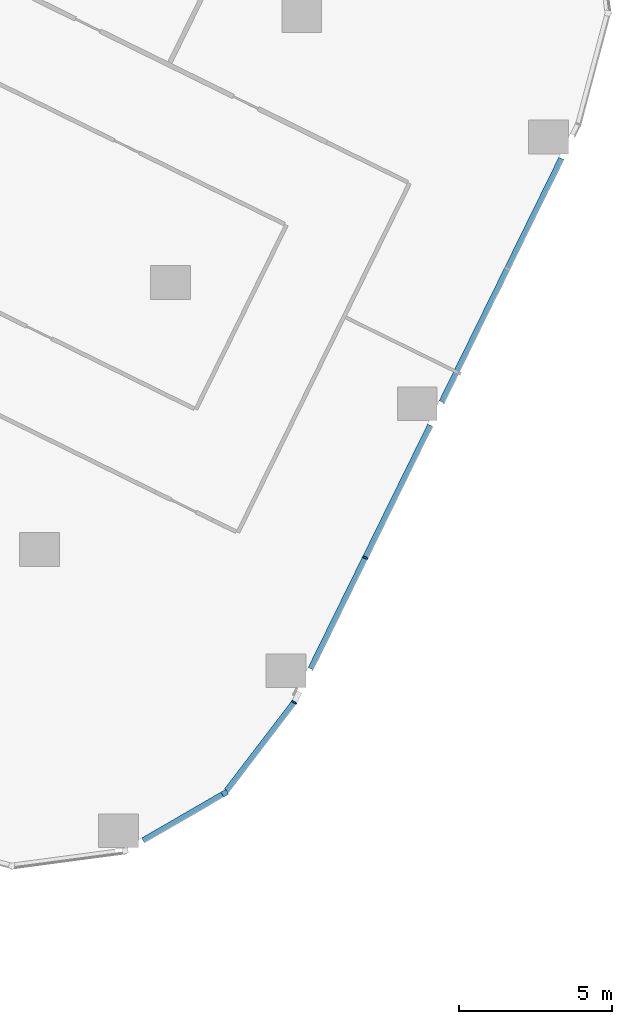
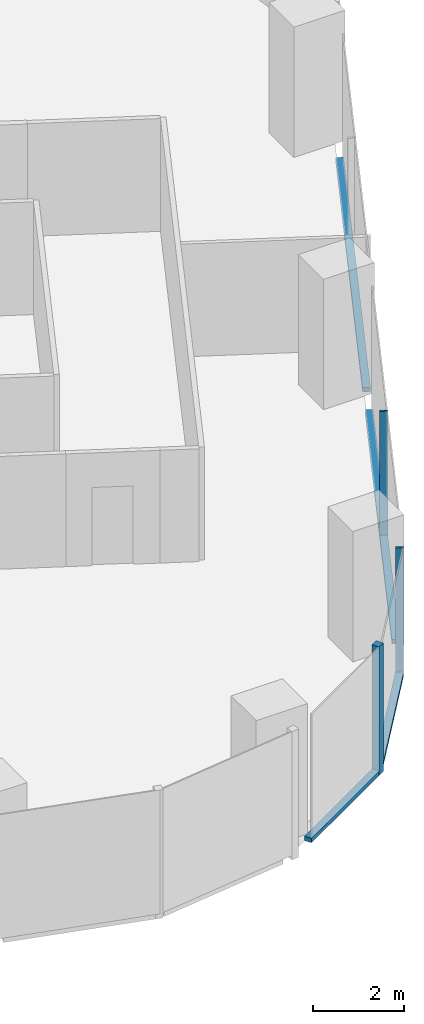
# One storey, part 10 of 38: 7 members, 3 elements without a shape of their own.
"""IFC4 building model written with IfcOpenShell, lengths in metres."""

from ifc_helpers import new_model, si_unit, direction, frame, origin, origin_2d, place, context, subcontext, project, spatial, rectangle, extrude, material, material_profile, profile_set, type_object, element, aggregate, save


model = new_model("IFC4")

# Units and contexts
model_context = context("Model", 3, precision=1e-05, world=origin(), true_north=direction((0.0, 1.0)))
body_context = subcontext(model_context, "Body", "Model", "MODEL_VIEW")
ifc_project = project(units=[si_unit("LENGTHUNIT", "METRE"), si_unit("AREAUNIT", "SQUARE_METRE"), si_unit("VOLUMEUNIT", "CUBIC_METRE"), si_unit("PLANEANGLEUNIT", "RADIAN"), si_unit("MASSUNIT", "GRAM", prefix="KILO")], contexts=[model_context])

# Site, building, storey
site_placement = place(None, origin())
site = spatial("IfcSite", under=ifc_project, at=site_placement, CompositionType="ELEMENT")
building_placement = place(site_placement, origin())
building = spatial("IfcBuilding", under=site, at=building_placement, Name="Orlundy Tower", CompositionType="ELEMENT")
storey_placement = place(building_placement, frame((0.0, 0.0, 72.800048828125)))
storey = spatial("IfcBuildingStorey", under=building, at=storey_placement, Name="L17", CompositionType="ELEMENT", Elevation=72.800048828125)

# Curtain wall, member
ifc_material_1 = material(Name="Aluminium bronze anodised", Category="aluminium")
curtain_wall_type = type_object("IfcCurtainWallType", Name="CW1 wall", PredefinedType="NOTDEFINED", material=ifc_material_1)
curtain_wall_1_placement = place(storey_placement, origin())
curtain_wall_1 = element("IfcCurtainWall", 1, at=curtain_wall_1_placement, inside=storey, type_object=curtain_wall_type, Name="CW1 run 025", PredefinedType="NOTDEFINED")
ifc_material_2 = material(Name="Aluminium bronze anodised", Category="aluminium")
ifc_material_profile_1 = material_profile(ifc_material_2, rectangle(XDim=0.179931640625, YDim=0.179931640625, at=origin_2d()), Name="CW1 corner post 180x180")
ifc_profile_set_1 = profile_set([ifc_material_profile_1], Name="Aluminium bronze anodised")
member_type_1 = type_object("IfcMemberType", Name="CW1 corner post 180x180", PredefinedType="MULLION", material=ifc_profile_set_1)
member_1_placement = place(storey_placement, frame((47.4775390625, -39.115966796875, -0.400146484375), z_axis=(0.0, 0.0, 1.0), x_axis=(0.501302135928, -0.865272308879, 0.0)))
member_1 = element("IfcMember", 2, at=member_1_placement, type_object=member_type_1, Name="CW1 mullion 66", PredefinedType="MULLION", context=body_context, shape_type="SweptSolid", body=[
    extrude(rectangle(XDim=0.179931640625, YDim=0.179931640625, at=origin_2d()), origin(), (0.0, 0.0, 1.0), 3.4501953125),
])

curtain_wall_2_placement = place(storey_placement, origin())
curtain_wall_2 = element("IfcCurtainWall", 3, at=curtain_wall_2_placement, inside=storey, type_object=curtain_wall_type, Name="CW1 run 023", PredefinedType="NOTDEFINED")
ifc_material_3 = material(Name="Aluminium bronze anodised", Category="aluminium")
ifc_material_profile_2 = material_profile(ifc_material_3, rectangle(XDim=0.179931640625, YDim=0.050048828125, at=origin_2d()), Name="CW1 mullion 50x180")
ifc_profile_set_2 = profile_set([ifc_material_profile_2], Name="Aluminium bronze anodised")
member_type_2 = type_object("IfcMemberType", Name="CW1 mullion 50x180", PredefinedType="MULLION", material=ifc_profile_set_2)
member_2_placement = place(storey_placement, frame((52.06494140625, -31.430908203125, -0.400146484375), z_axis=(0.0, 0.0, 1.0), x_axis=(0.897501090883, -0.441012235503, 0.0)))
member_2 = element("IfcMember", 4, at=member_2_placement, type_object=member_type_2, Name="CW1 mullion 64", PredefinedType="MULLION", context=body_context, shape_type="SweptSolid", body=[
    extrude(rectangle(XDim=0.179931640625, YDim=0.050048828125, at=origin_2d()), origin(), (0.0, 0.0, 1.0), 3.4501953125),
])

curtain_wall_3_placement = place(storey_placement, origin())
curtain_wall_3 = element("IfcCurtainWall", 5, at=curtain_wall_3_placement, inside=storey, type_object=curtain_wall_type, Name="CW1 run 024", PredefinedType="NOTDEFINED")
member_3_placement = place(storey_placement, frame((49.745849609375, -36.150634765625, -0.400146484375), z_axis=(0.0, 0.0, 1.0), x_axis=(0.849973121822, -0.526826054955, 0.0)))
member_3 = element("IfcMember", 6, at=member_3_placement, type_object=member_type_2, Name="CW1 mullion 65", PredefinedType="MULLION", context=body_context, shape_type="SweptSolid", body=[
    extrude(rectangle(XDim=0.179931640625, YDim=0.050048828125, at=origin_2d()), origin(), (0.0, 0.0, 1.0), 3.4501953125),
])

# Member
ifc_material_4 = material(Name="Aluminium bronze anodised", Category="aluminium")
ifc_material_profile_3 = material_profile(ifc_material_4, rectangle(XDim=0.179931640625, YDim=0.1201171875, at=origin_2d()), Name="CW1 transom 180x120")
ifc_profile_set_3 = profile_set([ifc_material_profile_3], Name="Aluminium bronze anodised")
member_type_3 = type_object("IfcMemberType", Name="CW1 transom 180x120", PredefinedType="USERDEFINED", material=ifc_profile_set_3)
member_4_placement = place(storey_placement, frame((58.463623046875, -18.408935546875, -0.340087890625), z_axis=(-0.441000966712, -0.897506628031, 0.0), x_axis=(0.897506628031, -0.441000966712, 0.0)))
member_4 = element("IfcMember", 7, at=member_4_placement, type_object=member_type_3, Name="CW1 transom", ObjectType="TRANSOM", PredefinedType="USERDEFINED", context=body_context, shape_type="SweptSolid", body=[
    extrude(rectangle(XDim=0.179931640625, YDim=0.1201171875, at=origin_2d()), origin(), (0.0, 0.0, 1.0), 8.849365234375),
])

member_5_placement = place(storey_placement, frame((54.185791015625, -27.114990234375, -0.340087890625), z_axis=(-0.441021658791, -0.897496460426, 0.0), x_axis=(0.897496460426, -0.441021658791, 0.0)))
member_5 = element("IfcMember", 8, at=member_5_placement, type_object=member_type_3, Name="CW1 transom", ObjectType="TRANSOM", PredefinedType="USERDEFINED", context=body_context, shape_type="SweptSolid", body=[
    extrude(rectangle(XDim=0.179931640625, YDim=0.1201171875, at=origin_2d()), origin(), (0.0, 0.0, 1.0), 8.847412109375),
])

aggregate(curtain_wall_2, [member_2, member_4, member_5])

member_6_placement = place(storey_placement, frame((49.730712890625, -36.170654296875, -0.340087890625), z_axis=(-0.607578093597, -0.794259944968, 0.0), x_axis=(0.794259944968, -0.607578093597, 0.0)))
member_6 = element("IfcMember", 9, at=member_6_placement, type_object=member_type_3, Name="CW1 transom", ObjectType="TRANSOM", PredefinedType="USERDEFINED", context=body_context, shape_type="SweptSolid", body=[
    extrude(rectangle(XDim=0.179931640625, YDim=0.1201171875, at=origin_2d()), origin(), (0.0, 0.0, 1.0), 3.61083984375),
])

aggregate(curtain_wall_3, [member_3, member_6])

member_7_placement = place(storey_placement, frame((47.399658203125, -39.1611328125, -0.340087890625), z_axis=(-0.865284440007, -0.501281196417, 0.0), x_axis=(0.501281196417, -0.865284440007, 0.0)))
member_7 = element("IfcMember", 10, at=member_7_placement, type_object=member_type_3, Name="CW1 transom", ObjectType="TRANSOM", PredefinedType="USERDEFINED", context=body_context, shape_type="SweptSolid", body=[
    extrude(rectangle(XDim=0.179931640625, YDim=0.1201171875, at=origin_2d()), origin(), (0.0, 0.0, 1.0), 2.986083984375),
])

aggregate(curtain_wall_1, [member_1, member_7])

save(model, "model.ifc")
